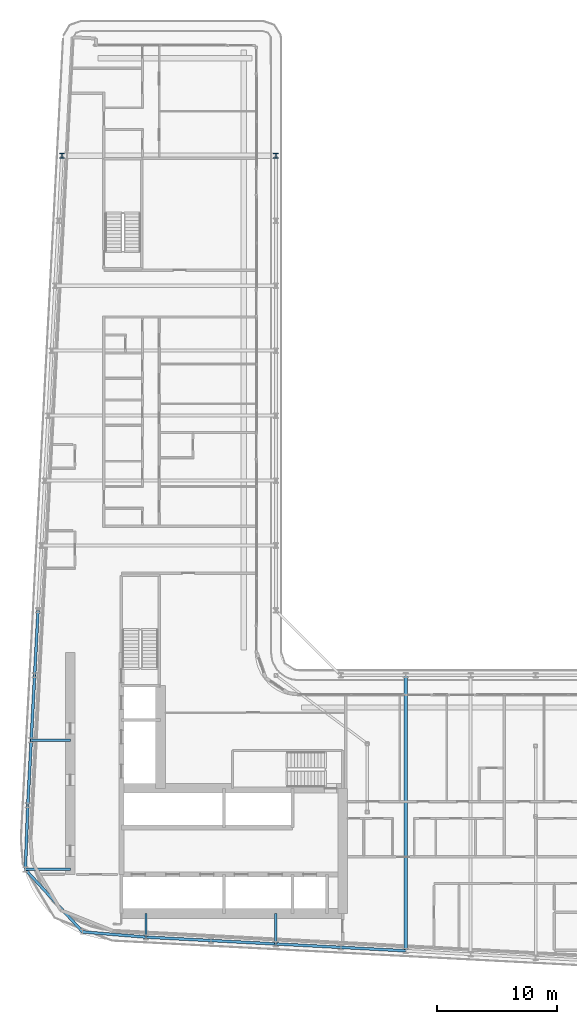
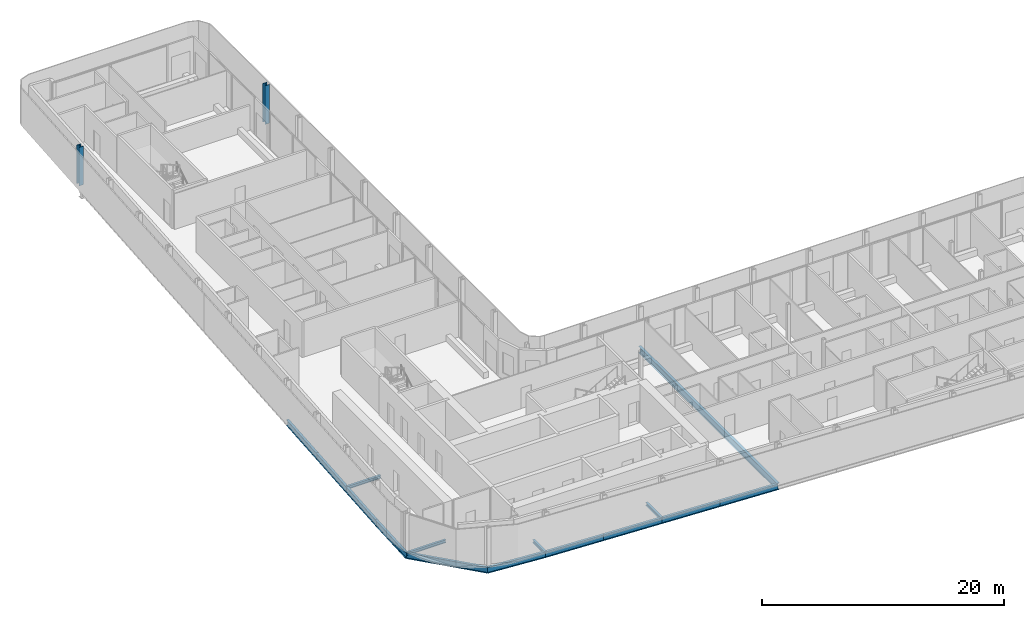
# One storey, part 5 of 30: 15 beams, 2 columns.
"""IFC4 building model written with IfcOpenShell, lengths in metres."""

from ifc_helpers import new_model, si_unit, direction, frame, origin, origin_2d, place, context, subcontext, project, spatial, i_section, extrude, material, material_profile, profile_set, type_object, element, save


model = new_model("IFC4")

# Units and contexts
model_context = context("Model", 3, precision=1e-05, world=origin(), true_north=direction((0.0, 1.0)))
body_context = subcontext(model_context, "Body", "Model", "MODEL_VIEW")
ifc_project = project(units=[si_unit("LENGTHUNIT", "METRE"), si_unit("AREAUNIT", "SQUARE_METRE"), si_unit("VOLUMEUNIT", "CUBIC_METRE"), si_unit("PLANEANGLEUNIT", "RADIAN"), si_unit("MASSUNIT", "GRAM", prefix="KILO")], contexts=[model_context])

# Site, building, storey
site_placement = place(None, origin())
site = spatial("IfcSite", under=ifc_project, at=site_placement, CompositionType="ELEMENT")
building_placement = place(site_placement, origin())
building = spatial("IfcBuilding", under=site, at=building_placement, Name="Kheshtan School and Residences Tower", CompositionType="ELEMENT")
storey_placement = place(building_placement, frame((0.0, 0.0, 164.300048828125)))
storey = spatial("IfcBuildingStorey", under=building, at=storey_placement, Name="L38", CompositionType="ELEMENT", Elevation=164.300048828125)

# Columns
ifc_material = material(Name="Steel ASTM A992 Grade 50", Category="steel")
ifc_material_profile_1 = material_profile(ifc_material, i_section(OverallWidth=0.408935546875, OverallDepth=0.425048828125, WebThickness=0.03271484375, FlangeThickness=0.052490234375, FilletRadius=0.0126953125, at=origin_2d()), Name="W360x421")
ifc_profile_set_1 = profile_set([ifc_material_profile_1], Name="Steel ASTM A992 Grade 50")
column_type = type_object("IfcColumnType", Name="Column C3 W360x421 ASTM A992 Grade 50", PredefinedType="COLUMN", material=ifc_profile_set_1)
for number, where, z_axis, x_axis, name in (
    (1, (29.81103515625, 88.800048828125, 0.0), (0.0, 0.0, 1.0), (1.0, 0.0, 0.0), "Column C098"),
    (2, (47.60009765625, 88.800048828125, 0.0), (0.0, 0.0, 1.0), (1.0, 0.0, 0.0), "Column C099"),
):
    element("IfcColumn", number, at=place(storey_placement, frame(where, z_axis=z_axis, x_axis=x_axis)), inside=storey, type_object=column_type, Name=name, PredefinedType="COLUMN", context=body_context, shape_type="SweptSolid", body=[
        extrude(i_section(OverallWidth=0.408935546875, OverallDepth=0.425048828125, WebThickness=0.03271484375, FlangeThickness=0.052490234375, FilletRadius=0.0126953125, at=origin_2d()), origin(), (0.0, 0.0, 1.0), 3.89990234375),
    ])

# Beams
ifc_material_profile_2 = material_profile(ifc_material, i_section(OverallWidth=0.202880859375, OverallDepth=0.302978515625, WebThickness=0.007568359375, FlangeThickness=0.01318359375, FilletRadius=0.009033203125, at=origin_2d()), Name="W310x60")
ifc_profile_set_2 = profile_set([ifc_material_profile_2], Name="Steel ASTM A992 Grade 50")
beam_type_1 = type_object("IfcBeamType", Name="Beam FB1 W310x60 ASTM A992 Grade 50", PredefinedType="BEAM", material=ifc_profile_set_2)
beam_1_placement = place(storey_placement, frame((47.60009765625, 23.263916015625, -0.301513671875), z_axis=(0.0, 1.0, 0.0), x_axis=(-1.0, 0.0, 0.0)))
element("IfcBeam", 3, at=beam_1_placement, inside=storey, type_object=beam_type_1, Name="Floor beam C020", PredefinedType="BEAM", context=body_context, shape_type="SweptSolid", body=[
    extrude(i_section(OverallWidth=0.202880859375, OverallDepth=0.302978515625, WebThickness=0.007568359375, FlangeThickness=0.01318359375, FilletRadius=0.009033203125, at=origin_2d()), origin(), (0.0, 0.0, 1.0), 2.5361328125),
])
beam_2_placement = place(storey_placement, frame((36.800048828125, 23.83203125, -0.301513671875), z_axis=(0.0, 1.0, 0.0), x_axis=(-1.0, 0.0, 0.0)))
element("IfcBeam", 4, at=beam_2_placement, inside=storey, type_object=beam_type_1, Name="Floor beam C022", PredefinedType="BEAM", context=body_context, shape_type="SweptSolid", body=[
    extrude(i_section(OverallWidth=0.202880859375, OverallDepth=0.302978515625, WebThickness=0.007568359375, FlangeThickness=0.01318359375, FilletRadius=0.009033203125, at=origin_2d()), origin(), (0.0, 0.0, 1.0), 1.968017578125),
])
beam_3_placement = place(storey_placement, frame((26.76611328125, 29.458984375, -0.301513671875), z_axis=(1.0, 0.0, 0.0), x_axis=(0.0, 1.0, 0.0)))
element("IfcBeam", 5, at=beam_3_placement, inside=storey, type_object=beam_type_1, Name="Floor beam C039", PredefinedType="BEAM", context=body_context, shape_type="SweptSolid", body=[
    extrude(i_section(OverallWidth=0.202880859375, OverallDepth=0.302978515625, WebThickness=0.007568359375, FlangeThickness=0.01318359375, FilletRadius=0.009033203125, at=origin_2d()), origin(), (0.0, 0.0, 1.0), 3.73388671875),
])
beam_4_placement = place(storey_placement, frame((27.2529296875, 40.199951171875, -0.301513671875), z_axis=(1.0, 0.0, 0.0), x_axis=(0.0, 1.0, 0.0)))
element("IfcBeam", 6, at=beam_4_placement, inside=storey, type_object=beam_type_1, Name="Floor beam C056", PredefinedType="BEAM", context=body_context, shape_type="SweptSolid", body=[
    extrude(i_section(OverallWidth=0.202880859375, OverallDepth=0.302978515625, WebThickness=0.007568359375, FlangeThickness=0.01318359375, FilletRadius=0.009033203125, at=origin_2d()), origin(), (0.0, 0.0, 1.0), 3.2470703125),
])
ifc_material_profile_3 = material_profile(ifc_material, i_section(OverallWidth=0.2529296875, OverallDepth=0.677978515625, WebThickness=0.01171875, FlangeThickness=0.016357421875, FilletRadius=0.0146484375, at=origin_2d()), Name="W690x125")
ifc_profile_set_3 = profile_set([ifc_material_profile_3], Name="Steel ASTM A992 Grade 50")
beam_type_2 = type_object("IfcBeamType", Name="Beam FB6 W690x125 ASTM A992 Grade 50", PredefinedType="BEAM", material=ifc_profile_set_3)
beam_5_placement = place(storey_placement, frame((58.39990234375, 22.695068359375, -0.489013671875), z_axis=(0.0, 1.0, 0.0), x_axis=(-1.0, 0.0, 0.0)))
element("IfcBeam", 7, at=beam_5_placement, inside=storey, type_object=beam_type_2, Name="Floor beam C018", PredefinedType="BEAM", context=body_context, shape_type="SweptSolid", body=[
    extrude(i_section(OverallWidth=0.2529296875, OverallDepth=0.677978515625, WebThickness=0.01171875, FlangeThickness=0.016357421875, FilletRadius=0.0146484375, at=origin_2d()), origin(), (0.0, 0.0, 1.0), 22.905029296875),
])
ifc_material_profile_4 = material_profile(ifc_material, i_section(OverallWidth=0.22802734375, OverallDepth=0.60302734375, WebThickness=0.010498046875, FlangeThickness=0.014892578125, FilletRadius=0.013427734375, at=origin_2d()), Name="W610x101")
ifc_profile_set_4 = profile_set([ifc_material_profile_4], Name="Steel ASTM A992 Grade 50")
beam_type_3 = type_object("IfcBeamType", Name="Beam SP2 W610x101 ASTM A992 Grade 50", PredefinedType="BEAM", material=ifc_profile_set_4)
for number, where, z_axis, x_axis, name in (
    (8, (58.39990234375, 22.695068359375, -0.45166015625), (-0.998610961136, 0.052689166816, 0.0), (-0.052689166816, -0.998610961136, 0.0), "Spandrel beam C018-C019"),
    (9, (53.0, 22.97998046875, -0.45166015625), (-0.998620447272, 0.05250906864, 0.0), (-0.05250906864, -0.998620447272, 0.0), "Spandrel beam C019-C020"),
):
    element("IfcBeam", number, at=place(storey_placement, frame(where, z_axis=z_axis, x_axis=x_axis)), inside=storey, type_object=beam_type_3, Name=name, PredefinedType="BEAM", context=body_context, shape_type="SweptSolid", body=[
        extrude(i_section(OverallWidth=0.22802734375, OverallDepth=0.60302734375, WebThickness=0.010498046875, FlangeThickness=0.014892578125, FilletRadius=0.013427734375, at=origin_2d()), origin(), (0.0, 0.0, 1.0), 5.407470703125),
    ])
beam_6_placement = place(storey_placement, frame((47.60009765625, 23.263916015625, -0.45166015625), z_axis=(-0.998618203458, 0.052551724256, 0.0), x_axis=(-0.052551724256, -0.998618203458, 0.0)))
element("IfcBeam", 10, at=beam_6_placement, inside=storey, type_object=beam_type_3, Name="Spandrel beam C020-C021", PredefinedType="BEAM", context=body_context, shape_type="SweptSolid", body=[
    extrude(i_section(OverallWidth=0.22802734375, OverallDepth=0.60302734375, WebThickness=0.010498046875, FlangeThickness=0.014892578125, FilletRadius=0.013427734375, at=origin_2d()), origin(), (0.0, 0.0, 1.0), 5.40771484375),
])
beam_7_placement = place(storey_placement, frame((42.199951171875, 23.548095703125, -0.45166015625), z_axis=(-0.998620447272, 0.05250906864, 0.0), x_axis=(-0.05250906864, -0.998620447272, 0.0)))
element("IfcBeam", 11, at=beam_7_placement, inside=storey, type_object=beam_type_3, Name="Spandrel beam C021-C022", PredefinedType="BEAM", context=body_context, shape_type="SweptSolid", body=[
    extrude(i_section(OverallWidth=0.22802734375, OverallDepth=0.60302734375, WebThickness=0.010498046875, FlangeThickness=0.014892578125, FilletRadius=0.013427734375, at=origin_2d()), origin(), (0.0, 0.0, 1.0), 5.407470703125),
])
beam_8_placement = place(storey_placement, frame((36.800048828125, 23.83203125, -0.45166015625), z_axis=(-0.996622413395, 0.082120430578, 0.0), x_axis=(-0.082120430578, -0.996622413395, 0.0)))
element("IfcBeam", 12, at=beam_8_placement, inside=storey, type_object=beam_type_3, Name="Spandrel beam C022-C026", PredefinedType="BEAM", context=body_context, shape_type="SweptSolid", body=[
    extrude(i_section(OverallWidth=0.22802734375, OverallDepth=0.60302734375, WebThickness=0.010498046875, FlangeThickness=0.014892578125, FilletRadius=0.013427734375, at=origin_2d()), origin(), (0.0, 0.0, 1.0), 5.285888671875),
])
beam_9_placement = place(storey_placement, frame((31.531982421875, 24.26611328125, -0.45166015625), z_axis=(-0.676166826568, 0.736748547775, 0.0), x_axis=(-0.736748547775, -0.676166826568, 0.0)))
element("IfcBeam", 13, at=beam_9_placement, inside=storey, type_object=beam_type_3, Name="Spandrel beam C026-C039", PredefinedType="BEAM", context=body_context, shape_type="SweptSolid", body=[
    extrude(i_section(OverallWidth=0.22802734375, OverallDepth=0.60302734375, WebThickness=0.010498046875, FlangeThickness=0.014892578125, FilletRadius=0.013427734375, at=origin_2d()), origin(), (0.0, 0.0, 1.0), 7.04833984375),
])
beam_10_placement = place(storey_placement, frame((26.76611328125, 29.458984375, -0.45166015625), z_axis=(0.037957724389, 0.999279345908, 0.0), x_axis=(-0.999279345908, 0.037957724389, 0.0)))
element("IfcBeam", 14, at=beam_10_placement, inside=storey, type_object=beam_type_3, Name="Spandrel beam C039-C052", PredefinedType="BEAM", context=body_context, shape_type="SweptSolid", body=[
    extrude(i_section(OverallWidth=0.22802734375, OverallDepth=0.60302734375, WebThickness=0.010498046875, FlangeThickness=0.014892578125, FilletRadius=0.013427734375, at=origin_2d()), origin(), (0.0, 0.0, 1.0), 5.344970703125),
])
beam_11_placement = place(storey_placement, frame((26.968994140625, 34.800048828125, -0.45166015625), z_axis=(0.05250906864, 0.998620447272, 0.0), x_axis=(-0.998620447272, 0.05250906864, 0.0)))
element("IfcBeam", 15, at=beam_11_placement, inside=storey, type_object=beam_type_3, Name="Spandrel beam C052-C056", PredefinedType="BEAM", context=body_context, shape_type="SweptSolid", body=[
    extrude(i_section(OverallWidth=0.22802734375, OverallDepth=0.60302734375, WebThickness=0.010498046875, FlangeThickness=0.014892578125, FilletRadius=0.013427734375, at=origin_2d()), origin(), (0.0, 0.0, 1.0), 5.407470703125),
])
beam_12_placement = place(storey_placement, frame((27.2529296875, 40.199951171875, -0.45166015625), z_axis=(0.052551724256, 0.998618203458, 0.0), x_axis=(-0.998618203458, 0.052551724256, 0.0)))
element("IfcBeam", 16, at=beam_12_placement, inside=storey, type_object=beam_type_3, Name="Spandrel beam C056-C059", PredefinedType="BEAM", context=body_context, shape_type="SweptSolid", body=[
    extrude(i_section(OverallWidth=0.22802734375, OverallDepth=0.60302734375, WebThickness=0.010498046875, FlangeThickness=0.014892578125, FilletRadius=0.013427734375, at=origin_2d()), origin(), (0.0, 0.0, 1.0), 5.40771484375),
])
beam_13_placement = place(storey_placement, frame((27.537109375, 45.60009765625, -0.45166015625), z_axis=(0.052689166816, 0.998610961136, 0.0), x_axis=(-0.998610961136, 0.052689166816, 0.0)))
element("IfcBeam", 17, at=beam_13_placement, inside=storey, type_object=beam_type_3, Name="Spandrel beam C059-C078", PredefinedType="BEAM", context=body_context, shape_type="SweptSolid", body=[
    extrude(i_section(OverallWidth=0.22802734375, OverallDepth=0.60302734375, WebThickness=0.010498046875, FlangeThickness=0.014892578125, FilletRadius=0.013427734375, at=origin_2d()), origin(), (0.0, 0.0, 1.0), 5.407470703125),
])

save(model, "model.ifc")
